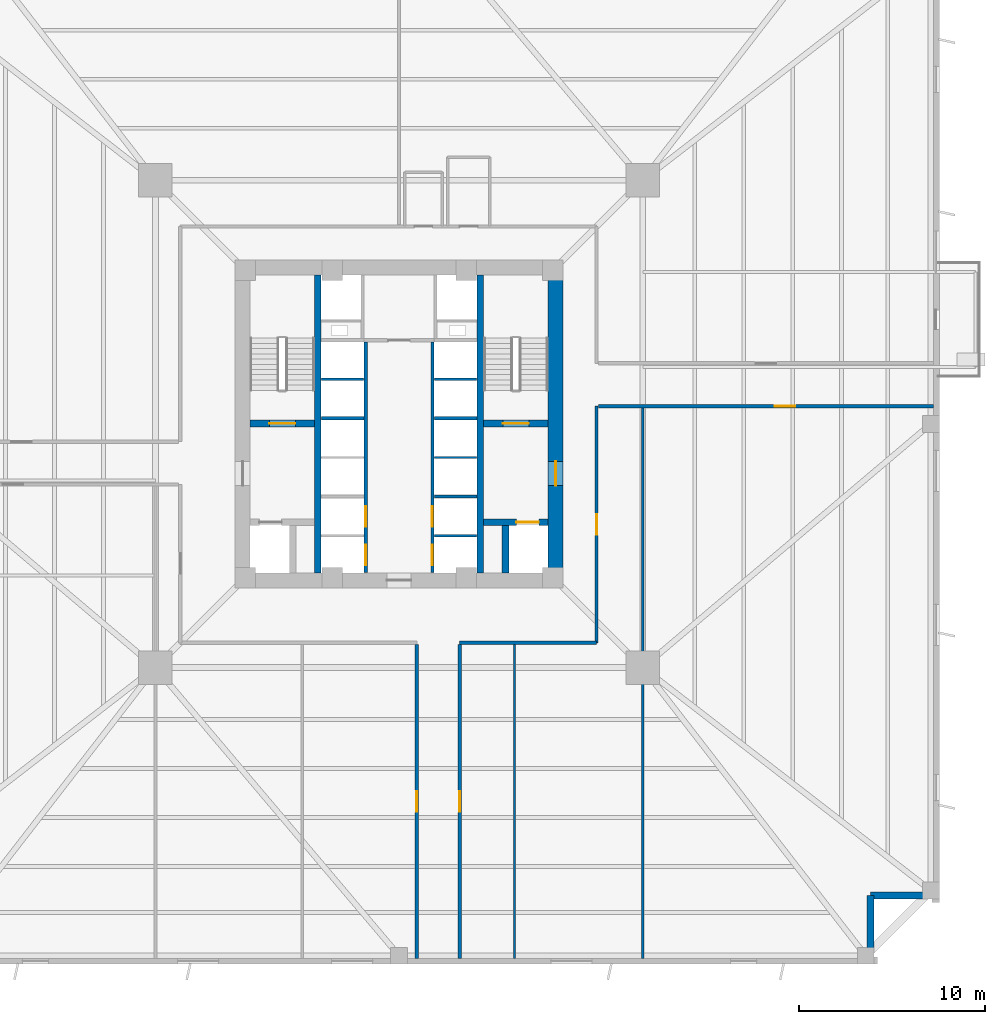
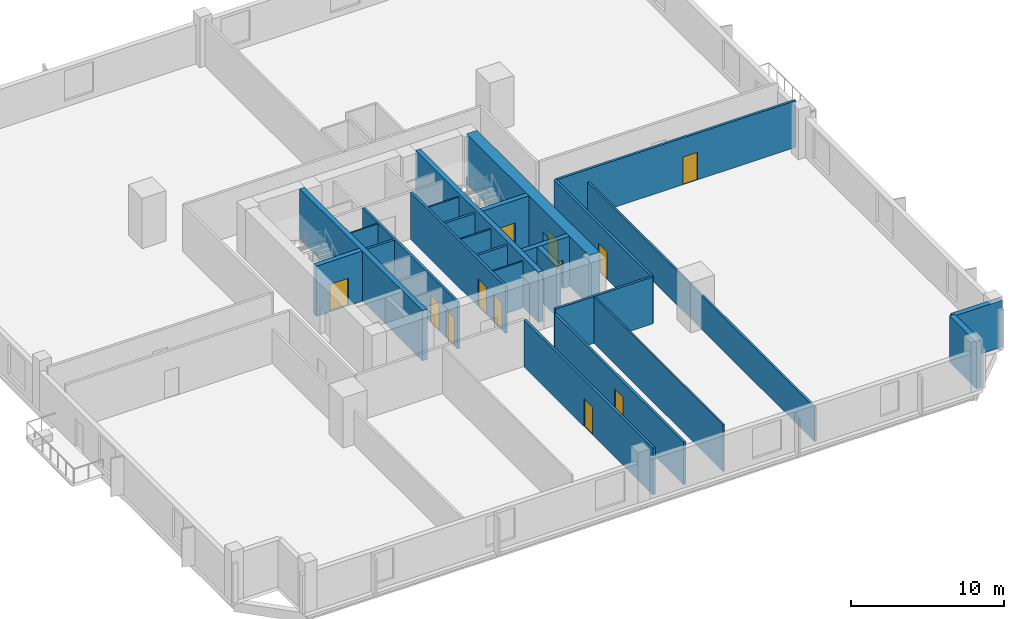
# One storey, part 3 of 9: 25 walls, 12 doors, 12 openings.
"""IFC4 building model written with IfcOpenShell, lengths in metres."""

from ifc_helpers import new_model, si_unit, direction, frame, frame_2d, origin, place, context, subcontext, project, spatial, rectangle, extrude, source, transform, mapped, material, layer, layer_set, type_object, element, fill, save


model = new_model("IFC4")

# Units and contexts
model_context = context("Model", 3, precision=1e-05, world=origin(), true_north=direction((0.0, 1.0)))
body_context = subcontext(model_context, "Body", "Model", "MODEL_VIEW")
ifc_project = project(units=[si_unit("LENGTHUNIT", "METRE"), si_unit("AREAUNIT", "SQUARE_METRE"), si_unit("VOLUMEUNIT", "CUBIC_METRE"), si_unit("PLANEANGLEUNIT", "RADIAN"), si_unit("MASSUNIT", "GRAM", prefix="KILO"), si_unit("THERMODYNAMICTEMPERATUREUNIT", "KELVIN")], contexts=[model_context])

# Site, building, storey
site_placement = place(None, origin())
site = spatial("IfcSite", under=ifc_project, at=site_placement, CompositionType="ELEMENT")
building_placement = place(site_placement, origin())
building = spatial("IfcBuilding", under=site, at=building_placement, Name="Kosmvard Interchange Tower", CompositionType="ELEMENT")
storey_placement = place(building_placement, frame((0.0, 0.0, 58.0)))
storey = spatial("IfcBuildingStorey", under=building, at=storey_placement, Name="L13", CompositionType="ELEMENT", Elevation=58.0)

# Wall
ifc_material_1 = material(Name="Acoustic gypsum partition system")
ifc_layer_1 = layer(ifc_material_1, 0.14990234375, Name="Acoustic gypsum partition system")
ifc_layer_set_1 = layer_set([ifc_layer_1], Name="Acoustic gypsum partition system")
wall_type_1 = type_object("IfcWallType", Name="Acoustic Suite & Meeting Partition 150", PredefinedType="PARTITIONING", material=ifc_layer_set_1)
wall_1_placement = place(storey_placement, frame((13.0810546875, -28.68505859375, 0.0), z_axis=(0.0, 0.0, 1.0), x_axis=(0.0, 1.0, 0.0)))
element("IfcWall", 1, at=wall_1_placement, inside=storey, type_object=wall_type_1, Name="L13 Room Partition 03.1", PredefinedType="PARTITIONING", context=body_context, shape_type="SweptSolid", body=[
    extrude(rectangle(XDim=29.5400390625, YDim=0.14990234375, at=frame_2d((14.77001953125, 0.0))), origin(), (0.0, 0.0, 1.0), 2.7119140625),
])

# Wall, openings, doors
ifc_material_2 = material(Name="Fire-rated gypsum partition system")
ifc_layer_2 = layer(ifc_material_2, 0.179931640625, Name="Fire-rated gypsum partition system")
ifc_layer_set_2 = layer_set([ifc_layer_2], Name="Fire-rated gypsum partition system")
wall_type_2 = type_object("IfcWallType", Name="Corridor & Hotel Compartment Partition 180", PredefinedType="PARTITIONING", material=ifc_layer_set_2)
wall_2_placement = place(storey_placement, frame((-1.7900390625, -7.97998046875, 0.0), z_axis=(0.0, 0.0, 1.0), x_axis=(0.0, 1.0, 0.0)))
wall_2 = element("IfcWall", 2, at=wall_2_placement, inside=storey, type_object=wall_type_2, Name="L13 West Lift Bank Front Wall", PredefinedType="PARTITIONING", context=body_context, shape_type="SweptSolid", body=[
    extrude(rectangle(XDim=12.3798828125, YDim=0.179931640625, at=frame_2d((6.18994140625, 0.0))), origin(), (0.0, 0.0, 1.0), 3.719970703125),
])
opening_1_placement = place(wall_2_placement, frame((0.39990234375, 0.0, 0.0)))
opening_1 = element("IfcOpeningElement", 3, at=opening_1_placement, cuts=wall_2, Name="Opening LD-PL-L1-L13", PredefinedType="OPENING", context=body_context, shape_type="SweptSolid", body=[
    extrude(rectangle(XDim=1.10009765625, YDim=2.199951171875, at=frame_2d((0.550048828125, 1.10009765625))), frame((0.0, 0.10009765625, 0.0), z_axis=(0.0, -1.0, 0.0), x_axis=(1.0, 0.0, 0.0)), (0.0, 0.0, 1.0), 0.199951171875),
])
opening_2_placement = place(wall_2_placement, frame((2.4599609375, 0.0, 0.0)))
opening_2 = element("IfcOpeningElement", 4, at=opening_2_placement, cuts=wall_2, Name="Opening LD-PL-L2-L13", PredefinedType="OPENING", context=body_context, shape_type="SweptSolid", body=[
    extrude(rectangle(XDim=1.10009765625, YDim=2.199951171875, at=frame_2d((0.550048828125, 1.10009765625))), frame((0.0, 0.10009765625, 0.0), z_axis=(0.0, -1.0, 0.0), x_axis=(1.0, 0.0, 0.0)), (0.0, 0.0, 1.0), 0.199951171875),
])
ifc_material_3 = material(Name="Brushed stainless steel sliding leaf", Category="steel")
door_type_1 = type_object("IfcDoorType", Name="Passenger Lift Sliding Landing Door 1100x2200 EI60", OperationType="DOUBLE_DOOR_SLIDING", PredefinedType="DOOR", material=ifc_material_3)
shared_shape_1 = source(origin(), body_context, "Body", "SweptSolid", [
    extrude(rectangle(XDim=1.10009765625, YDim=2.199951171875, at=frame_2d((0.550048828125, 1.10009765625))), frame((0.0, 0.02490234375, 0.0), z_axis=(0.0, -1.0, 0.0), x_axis=(1.0, 0.0, 0.0)), (0.0, 0.0, 1.0), 0.050048828125),
])
door_1_placement = place(opening_1_placement, frame((1.10009765625, 0.0, 0.0), z_axis=(0.0, 0.0, 1.0), x_axis=(-1.0, 0.0, 0.0)))
door_1 = element("IfcDoor", 5, at=door_1_placement, inside=storey, type_object=door_type_1, Name="Lift PL-L1 Landing Door L13", OperationType="DOUBLE_DOOR_SLIDING", OverallHeight=2.199951171875, OverallWidth=1.10009765625, PredefinedType="DOOR", context=body_context, shape_type="MappedRepresentation", body=[
    mapped(shared_shape_1, transform((0.0, 0.0, 0.0), scale=1.0)),
])
fill(opening_1, door_1)
door_2_placement = place(opening_2_placement, frame((1.10009765625, 0.0, 0.0), z_axis=(0.0, 0.0, 1.0), x_axis=(-1.0, 0.0, 0.0)))
door_2 = element("IfcDoor", 6, at=door_2_placement, inside=storey, type_object=door_type_1, Name="Lift PL-L2 Landing Door L13", OperationType="DOUBLE_DOOR_SLIDING", OverallHeight=2.199951171875, OverallWidth=1.10009765625, PredefinedType="DOOR", context=body_context, shape_type="MappedRepresentation", body=[
    mapped(shared_shape_1, transform((0.0, 0.0, 0.0), scale=1.0)),
])
fill(opening_2, door_2)

wall_3_placement = place(storey_placement, frame((1.7900390625, -7.97998046875, 0.0), z_axis=(0.0, 0.0, 1.0), x_axis=(0.0, 1.0, 0.0)))
wall_3 = element("IfcWall", 7, at=wall_3_placement, inside=storey, type_object=wall_type_2, Name="L13 East Lift Bank Front Wall", PredefinedType="PARTITIONING", context=body_context, shape_type="SweptSolid", body=[
    extrude(rectangle(XDim=12.3798828125, YDim=0.179931640625, at=frame_2d((6.18994140625, 0.0))), origin(), (0.0, 0.0, 1.0), 3.719970703125),
])
opening_3_placement = place(wall_3_placement, frame((0.39990234375, 0.0, 0.0)))
opening_3 = element("IfcOpeningElement", 8, at=opening_3_placement, cuts=wall_3, Name="Opening LD-PL-L3-L13", PredefinedType="OPENING", context=body_context, shape_type="SweptSolid", body=[
    extrude(rectangle(XDim=1.10009765625, YDim=2.199951171875, at=frame_2d((0.550048828125, 1.10009765625))), frame((0.0, 0.10009765625, 0.0), z_axis=(0.0, -1.0, 0.0), x_axis=(1.0, 0.0, 0.0)), (0.0, 0.0, 1.0), 0.199951171875),
])
opening_4_placement = place(wall_3_placement, frame((2.4599609375, 0.0, 0.0)))
opening_4 = element("IfcOpeningElement", 9, at=opening_4_placement, cuts=wall_3, Name="Opening LD-PL-L4-L13", PredefinedType="OPENING", context=body_context, shape_type="SweptSolid", body=[
    extrude(rectangle(XDim=1.10009765625, YDim=2.199951171875, at=frame_2d((0.550048828125, 1.10009765625))), frame((0.0, 0.10009765625, 0.0), z_axis=(0.0, -1.0, 0.0), x_axis=(1.0, 0.0, 0.0)), (0.0, 0.0, 1.0), 0.199951171875),
])
door_3_placement = place(opening_3_placement, origin())
door_3 = element("IfcDoor", 10, at=door_3_placement, inside=storey, type_object=door_type_1, Name="Lift PL-L3 Landing Door L13", OperationType="DOUBLE_DOOR_SLIDING", OverallHeight=2.199951171875, OverallWidth=1.10009765625, PredefinedType="DOOR", context=body_context, shape_type="MappedRepresentation", body=[
    mapped(shared_shape_1, transform((0.0, 0.0, 0.0), scale=1.0)),
])
fill(opening_3, door_3)
door_4_placement = place(opening_4_placement, origin())
door_4 = element("IfcDoor", 11, at=door_4_placement, inside=storey, type_object=door_type_1, Name="Lift PL-L4 Landing Door L13", OperationType="DOUBLE_DOOR_SLIDING", OverallHeight=2.199951171875, OverallWidth=1.10009765625, PredefinedType="DOOR", context=body_context, shape_type="MappedRepresentation", body=[
    mapped(shared_shape_1, transform((0.0, 0.0, 0.0), scale=1.0)),
])
fill(opening_4, door_4)

# Wall
wall_4_placement = place(storey_placement, frame((3.25, -11.75, 0.0), z_axis=(0.0, 0.0, 1.0), x_axis=(1.0, 0.0, 0.0)))
element("IfcWall", 12, at=wall_4_placement, inside=storey, type_object=wall_type_2, Name="L13 Corridor Wall CSE", PredefinedType="PARTITIONING", context=body_context, shape_type="SweptSolid", body=[
    extrude(rectangle(XDim=7.35009765625, YDim=0.179931640625, at=frame_2d((3.675048828125, 0.0))), origin(), (0.0, 0.0, 1.0), 3.719970703125),
])

# Wall, opening, door
wall_5_placement = place(storey_placement, frame((10.60009765625, -11.75, 0.0), z_axis=(0.0, 0.0, 1.0), x_axis=(0.0, 1.0, 0.0)))
wall_5 = element("IfcWall", 13, at=wall_5_placement, inside=storey, type_object=wall_type_2, Name="L13 Corridor Wall CES", PredefinedType="PARTITIONING", context=body_context, shape_type="SweptSolid", body=[
    extrude(rectangle(XDim=12.699951171875, YDim=0.179931640625, at=frame_2d((6.35009765625, 0.0))), origin(), (0.0, 0.0, 1.0), 3.719970703125),
])
opening_5_placement = place(wall_5_placement, frame((5.800048828125, 0.0, 0.0)))
opening_5 = element("IfcOpeningElement", 14, at=opening_5_placement, cuts=wall_5, Name="Opening L13-D06", PredefinedType="OPENING", context=body_context, shape_type="SweptSolid", body=[
    extrude(rectangle(XDim=1.10009765625, YDim=2.199951171875, at=frame_2d((0.550048828125, 1.10009765625))), frame((0.0, 0.10009765625, 0.0), z_axis=(0.0, -1.0, 0.0), x_axis=(1.0, 0.0, 0.0)), (0.0, 0.0, 1.0), 0.199951171875),
])
ifc_material_4 = material(Name="Engineered oak fire-rated timber", Category="wood")
door_type_2 = type_object("IfcDoorType", Name="Office Suite Entrance Door 1100x2200 FD30S", OperationType="NOTDEFINED", PredefinedType="DOOR", material=ifc_material_4)
door_5_placement = place(opening_5_placement, frame((1.10009765625, 0.0, 0.0), z_axis=(0.0, 0.0, 1.0), x_axis=(-1.0, 0.0, 0.0)))
door_5 = element("IfcDoor", 15, at=door_5_placement, inside=storey, type_object=door_type_2, Name="L13 Strategy Seminar Room 1 Door", OperationType="SINGLE_SWING_RIGHT", OverallHeight=2.199951171875, OverallWidth=1.10009765625, PredefinedType="DOOR", context=body_context, shape_type="MappedRepresentation", body=[
    mapped(shared_shape_1, transform((0.0, 0.0, 0.0), scale=1.0)),
])
fill(opening_5, door_5)

wall_6_placement = place(storey_placement, frame((10.699951171875, 0.949951171875, 0.0), z_axis=(0.0, 0.0, 1.0), x_axis=(1.0, 0.0, 0.0)))
wall_6 = element("IfcWall", 16, at=wall_6_placement, inside=storey, type_object=wall_type_2, Name="L13 Corridor Wall SES", PredefinedType="PARTITIONING", context=body_context, shape_type="SweptSolid", body=[
    extrude(rectangle(XDim=17.985107421875, YDim=0.179931640625, at=frame_2d((8.99267578125, 0.0))), origin(), (0.0, 0.0, 1.0), 3.719970703125),
])
opening_6_placement = place(wall_6_placement, frame((9.468505859375, 0.0, 0.0)))
opening_6 = element("IfcOpeningElement", 17, at=opening_6_placement, cuts=wall_6, Name="Opening L13-D07", PredefinedType="OPENING", context=body_context, shape_type="SweptSolid", body=[
    extrude(rectangle(XDim=1.10009765625, YDim=2.199951171875, at=frame_2d((0.550048828125, 1.10009765625))), frame((0.0, 0.10009765625, 0.0), z_axis=(0.0, -1.0, 0.0), x_axis=(1.0, 0.0, 0.0)), (0.0, 0.0, 1.0), 0.199951171875),
])
door_6_placement = place(opening_6_placement, frame((1.10009765625, 0.0, 0.0), z_axis=(0.0, 0.0, 1.0), x_axis=(-1.0, 0.0, 0.0)))
door_6 = element("IfcDoor", 18, at=door_6_placement, inside=storey, type_object=door_type_2, Name="L13 East Open Engineering Studio Door", OperationType="SINGLE_SWING_LEFT", OverallHeight=2.199951171875, OverallWidth=1.10009765625, PredefinedType="DOOR", context=body_context, shape_type="MappedRepresentation", body=[
    mapped(shared_shape_1, transform((0.0, 0.0, 0.0), scale=1.0)),
])
fill(opening_6, door_6)

wall_7_placement = place(storey_placement, frame((0.949951171875, -28.68505859375, 0.0), z_axis=(0.0, 0.0, 1.0), x_axis=(0.0, 1.0, 0.0)))
wall_7 = element("IfcWall", 19, at=wall_7_placement, inside=storey, type_object=wall_type_2, Name="L13 Corridor Wall SSW", PredefinedType="PARTITIONING", context=body_context, shape_type="SweptSolid", body=[
    extrude(rectangle(XDim=16.8349609375, YDim=0.179931640625, at=frame_2d((8.41748046875, 0.0))), origin(), (0.0, 0.0, 1.0), 3.719970703125),
])
opening_7_placement = place(wall_7_placement, frame((7.867431640625, 0.0, 0.0)))
opening_7 = element("IfcOpeningElement", 20, at=opening_7_placement, cuts=wall_7, Name="Opening L13-D10", PredefinedType="OPENING", context=body_context, shape_type="SweptSolid", body=[
    extrude(rectangle(XDim=1.10009765625, YDim=2.199951171875, at=frame_2d((0.550048828125, 1.10009765625))), frame((0.0, 0.10009765625, 0.0), z_axis=(0.0, -1.0, 0.0), x_axis=(1.0, 0.0, 0.0)), (0.0, 0.0, 1.0), 0.199951171875),
])
door_7_placement = place(opening_7_placement, origin())
door_7 = element("IfcDoor", 21, at=door_7_placement, inside=storey, type_object=door_type_2, Name="L13 Tenant Archive Store Door", OperationType="SINGLE_SWING_RIGHT", OverallHeight=2.199951171875, OverallWidth=1.10009765625, PredefinedType="DOOR", context=body_context, shape_type="MappedRepresentation", body=[
    mapped(shared_shape_1, transform((0.0, 0.0, 0.0), scale=1.0)),
])
fill(opening_7, door_7)

wall_8_placement = place(storey_placement, frame((3.25, -28.68505859375, 0.0), z_axis=(0.0, 0.0, 1.0), x_axis=(0.0, 1.0, 0.0)))
wall_8 = element("IfcWall", 22, at=wall_8_placement, inside=storey, type_object=wall_type_2, Name="L13 Corridor Wall SSE", PredefinedType="PARTITIONING", context=body_context, shape_type="SweptSolid", body=[
    extrude(rectangle(XDim=16.8349609375, YDim=0.179931640625, at=frame_2d((8.41748046875, 0.0))), origin(), (0.0, 0.0, 1.0), 3.389892578125),
])
opening_8_placement = place(wall_8_placement, frame((7.867431640625, 0.0, 0.0)))
opening_8 = element("IfcOpeningElement", 23, at=opening_8_placement, cuts=wall_8, Name="Opening L13-D05", PredefinedType="OPENING", context=body_context, shape_type="SweptSolid", body=[
    extrude(rectangle(XDim=1.10009765625, YDim=2.199951171875, at=frame_2d((0.550048828125, 1.10009765625))), frame((0.0, 0.10009765625, 0.0), z_axis=(0.0, -1.0, 0.0), x_axis=(1.0, 0.0, 0.0)), (0.0, 0.0, 1.0), 0.199951171875),
])
door_8_placement = place(opening_8_placement, frame((1.10009765625, 0.0, 0.0), z_axis=(0.0, 0.0, 1.0), x_axis=(-1.0, 0.0, 0.0)))
door_8 = element("IfcDoor", 24, at=door_8_placement, inside=storey, type_object=door_type_2, Name="L13 Client Reception Foyer Door", OperationType="SINGLE_SWING_LEFT", OverallHeight=2.199951171875, OverallWidth=1.10009765625, PredefinedType="DOOR", context=body_context, shape_type="MappedRepresentation", body=[
    mapped(shared_shape_1, transform((0.0, 0.0, 0.0), scale=1.0)),
])
fill(opening_8, door_8)

ifc_material_5 = material(Name="Concrete C80/95", Category="concrete")
ifc_layer_3 = layer(ifc_material_5, 0.800048828125, Name="Concrete C80/95")
ifc_layer_set_3 = layer_set([ifc_layer_3], Name="Concrete C80/95")
wall_type_3 = type_object("IfcWallType", Name="Lower Core Shear Wall 800 C80/95", PredefinedType="SHEAR", material=ifc_layer_set_3)
wall_9_placement = place(storey_placement, frame((8.39990234375, -8.0, 0.0), z_axis=(0.0, 0.0, 1.0), x_axis=(0.0, 1.0, 0.0)))
wall_9 = element("IfcWall", 25, at=wall_9_placement, inside=storey, type_object=wall_type_3, Name="L13 Core Shear Wall CW-E", PredefinedType="SHEAR", context=body_context, shape_type="SweptSolid", body=[
    extrude(rectangle(XDim=16.0, YDim=0.800048828125, at=frame_2d((8.0, 0.0))), origin(), (0.0, 0.0, 1.0), 4.0),
])
opening_9_placement = place(wall_9_placement, frame((4.68994140625, 0.0, 0.0)))
opening_9 = element("IfcOpeningElement", 26, at=opening_9_placement, cuts=wall_9, Name="Opening L13-FD2", PredefinedType="OPENING", context=body_context, shape_type="SweptSolid", body=[
    extrude(rectangle(XDim=1.300048828125, YDim=2.199951171875, at=frame_2d((0.64990234375, 1.10009765625))), frame((0.0, 0.41015625, 0.0), z_axis=(0.0, -1.0, 0.0), x_axis=(1.0, 0.0, 0.0)), (0.0, 0.0, 1.0), 0.820068359375),
])
ifc_material_6 = material(Name="Painted fire-rated steel leaf", Category="steel")
door_type_3 = type_object("IfcDoorType", Name="Firefighting Lobby Door 1300x2200 EI60", OperationType="NOTDEFINED", PredefinedType="DOOR", material=ifc_material_6)
shared_shape_2 = source(origin(), body_context, "Body", "SweptSolid", [
    extrude(rectangle(XDim=1.300048828125, YDim=2.199951171875, at=frame_2d((0.64990234375, 1.10009765625))), frame((0.0, 0.02490234375, 0.0), z_axis=(0.0, -1.0, 0.0), x_axis=(1.0, 0.0, 0.0)), (0.0, 0.0, 1.0), 0.050048828125),
])
door_9_placement = place(opening_9_placement, origin())
door_9 = element("IfcDoor", 27, at=door_9_placement, inside=storey, type_object=door_type_3, Name="L13 Firefighting Lobby East Door", OperationType="SINGLE_SWING_RIGHT", OverallHeight=2.199951171875, OverallWidth=1.300048828125, PredefinedType="DOOR", context=body_context, shape_type="MappedRepresentation", body=[
    mapped(shared_shape_2, transform((0.0, 0.0, 0.0), scale=1.0)),
])
fill(opening_9, door_9)

# Walls
ifc_material_7 = material(Name="Precast concrete C45/55", Category="concrete")
ifc_layer_4 = layer(ifc_material_7, 0.3798828125, Name="Precast concrete C45/55")
ifc_layer_set_4 = layer_set([ifc_layer_4], Name="Precast concrete C45/55")
wall_type_4 = type_object("IfcWallType", Name="Lower Tower Precast Pier Wall 380 C45/55", PredefinedType="STANDARD", material=ifc_layer_set_4)
wall_10_placement = place(storey_placement, frame((25.31005859375, -28.81005859375, 0.0), z_axis=(0.0, 0.0, 1.0), x_axis=(0.0, 1.0, 0.0)))
element("IfcWall", 28, at=wall_10_placement, inside=storey, type_object=wall_type_4, Name="L13 Precast Facade Wall N-SE1", PredefinedType="STANDARD", context=body_context, shape_type="SweptSolid", body=[
    extrude(rectangle(XDim=3.5, YDim=0.3798828125, at=frame_2d((1.75, 0.0))), origin(), (0.0, 0.0, 1.0), 3.719970703125),
])
wall_11_placement = place(storey_placement, frame((25.31005859375, -25.31005859375, 0.0), z_axis=(0.0, 0.0, 1.0), x_axis=(1.0, 0.0, 0.0)))
element("IfcWall", 29, at=wall_11_placement, inside=storey, type_object=wall_type_4, Name="L13 Precast Facade Wall N-SE2", PredefinedType="STANDARD", context=body_context, shape_type="SweptSolid", body=[
    extrude(rectangle(XDim=3.68994140625, YDim=0.3798828125, at=frame_2d((1.844970703125, 0.0))), origin(), (0.0, 0.0, 1.0), 3.719970703125),
])
ifc_material_8 = material(Name="Gypsum board partition system")
ifc_layer_5 = layer(ifc_material_8, 0.1201171875, Name="Gypsum board partition system")
ifc_layer_set_5 = layer_set([ifc_layer_5], Name="Gypsum board partition system")
wall_type_5 = type_object("IfcWallType", Name="Office Cellular Partition 120", PredefinedType="PARTITIONING", material=ifc_layer_set_5)
wall_12_placement = place(storey_placement, frame((6.199951171875, -28.68505859375, 0.0), z_axis=(0.0, 0.0, 1.0), x_axis=(0.0, 1.0, 0.0)))
element("IfcWall", 30, at=wall_12_placement, inside=storey, type_object=wall_type_5, Name="L13 Room Partition 02.1", PredefinedType="PARTITIONING", context=body_context, shape_type="SweptSolid", body=[
    extrude(rectangle(XDim=16.840087890625, YDim=0.1201171875, at=frame_2d((8.419921875, 0.0))), origin(), (0.0, 0.0, 1.0), 3.719970703125),
])
ifc_material_9 = material(Name="Concrete blockwork masonry", Category="masonry")
ifc_layer_6 = layer(ifc_material_9, 0.179931640625, Name="Concrete blockwork masonry")
ifc_layer_set_6 = layer_set([ifc_layer_6], Name="Concrete blockwork masonry")
wall_type_6 = type_object("IfcWallType", Name="Riser & Lift Bank Divider Wall 180", PredefinedType="PARTITIONING", material=ifc_layer_set_6)
for number, where, z_axis, x_axis, name in (
    (31, (1.889892578125, -3.89990234375, 0.0), (0.0, 0.0, 1.0), (1.0, 0.0, 0.0), "L13 East Bank Divider BD1"),
    (32, (-4.169921875, 0.300048828125, 0.0), (0.0, 0.0, 1.0), (1.0, 0.0, 0.0), "L13 West Bank Divider BD2"),
    (33, (1.889892578125, 0.300048828125, 0.0), (0.0, 0.0, 1.0), (1.0, 0.0, 0.0), "L13 East Bank Divider BD2"),
):
    element("IfcWall", number, at=place(storey_placement, frame(where, z_axis=z_axis, x_axis=x_axis)), inside=storey, type_object=wall_type_6, Name=name, PredefinedType="PARTITIONING", context=body_context, shape_type="SweptSolid", body=[
        extrude(rectangle(XDim=2.280029296875, YDim=0.179931640625, at=frame_2d((1.14013671875, 0.0))), origin(), (0.0, 0.0, 1.0), 3.719970703125),
    ])
ifc_material_10 = material(Name="Fire-rated gypsum shaftwall system")
ifc_layer_7 = layer(ifc_material_10, 0.1201171875, Name="Fire-rated gypsum shaftwall system")
ifc_layer_set_7 = layer_set([ifc_layer_7], Name="Fire-rated gypsum shaftwall system")
wall_type_7 = type_object("IfcWallType", Name="Shaft & Riser Fire Partition 120 EI60", PredefinedType="PARTITIONING", material=ifc_layer_set_7)
for number, where, z_axis, x_axis, name in (
    (34, (1.89990234375, -6.0, 0.0), (0.0, 0.0, 1.0), (1.0, 0.0, 0.0), "L13 Shaft Divider PL-L3"),
    (35, (1.89990234375, -1.800048828125, 0.0), (0.0, 0.0, 1.0), (1.0, 0.0, 0.0), "L13 Shaft Divider PL-M3"),
    (36, (-4.159912109375, 2.39990234375, 0.0), (0.0, 0.0, 1.0), (1.0, 0.0, 0.0), "L13 Shaft Divider PL-H1"),
    (37, (1.89990234375, 2.39990234375, 0.0), (0.0, 0.0, 1.0), (1.0, 0.0, 0.0), "L13 Shaft Divider PL-H3"),
):
    element("IfcWall", number, at=place(storey_placement, frame(where, z_axis=z_axis, x_axis=x_axis)), inside=storey, type_object=wall_type_7, Name=name, PredefinedType="PARTITIONING", context=body_context, shape_type="SweptSolid", body=[
        extrude(rectangle(XDim=2.260009765625, YDim=0.1201171875, at=frame_2d((1.1298828125, 0.0))), origin(), (0.0, 0.0, 1.0), 3.719970703125),
    ])
ifc_material_11 = material(Name="Concrete C60/75", Category="concrete")
ifc_layer_8 = layer(ifc_material_11, 0.360107421875, Name="Concrete C60/75")
ifc_layer_set_8 = layer_set([ifc_layer_8], Name="Concrete C60/75")
wall_type_8 = type_object("IfcWallType", Name="Stair & Lift Shaft Shear Wall 360 C60/75", PredefinedType="SHEAR", material=ifc_layer_set_8)
for number, where, z_axis, x_axis, name in (
    (38, (-4.360107421875, -8.0, 0.0), (0.0, 0.0, 1.0), (0.0, 1.0, 0.0), "L13 Shaft Shear Wall SW-W"),
    (39, (4.360107421875, -8.0, 0.0), (0.0, 0.0, 1.0), (0.0, 1.0, 0.0), "L13 Shaft Shear Wall SW-E"),
):
    element("IfcWall", number, at=place(storey_placement, frame(where, z_axis=z_axis, x_axis=x_axis)), inside=storey, type_object=wall_type_8, Name=name, PredefinedType="SHEAR", context=body_context, shape_type="SweptSolid", body=[
        extrude(rectangle(XDim=16.0, YDim=0.360107421875, at=frame_2d((8.0, 0.0))), origin(), (0.0, 0.0, 1.0), 4.0),
    ])

# Wall, opening, door
wall_13_placement = place(storey_placement, frame((-8.0, 0.02001953125, 0.0), z_axis=(0.0, 0.0, 1.0), x_axis=(1.0, 0.0, 0.0)))
wall_13 = element("IfcWall", 40, at=wall_13_placement, inside=storey, type_object=wall_type_8, Name="L13 Shaft Shear Wall SW-ST1", PredefinedType="SHEAR", context=body_context, shape_type="SweptSolid", body=[
    extrude(rectangle(XDim=3.4599609375, YDim=0.360107421875, at=frame_2d((1.72998046875, 0.0))), origin(), (0.0, 0.0, 1.0), 4.0),
])
opening_10_placement = place(wall_13_placement, frame((1.030029296875, 0.0, 0.0)))
opening_10 = element("IfcOpeningElement", 41, at=opening_10_placement, cuts=wall_13, Name="Opening L13-SD1", PredefinedType="OPENING", context=body_context, shape_type="SweptSolid", body=[
    extrude(rectangle(XDim=1.39990234375, YDim=2.199951171875, at=frame_2d((0.699951171875, 1.10009765625))), frame((0.0, 0.18994140625, 0.0), z_axis=(0.0, -1.0, 0.0), x_axis=(1.0, 0.0, 0.0)), (0.0, 0.0, 1.0), 0.380126953125),
])
door_type_4 = type_object("IfcDoorType", Name="Protected Stair Door 1400x2200 FD60S", OperationType="NOTDEFINED", PredefinedType="DOOR", material=ifc_material_6)
shared_shape_3 = source(origin(), body_context, "Body", "SweptSolid", [
    extrude(rectangle(XDim=1.39990234375, YDim=2.199951171875, at=frame_2d((0.699951171875, 1.10009765625))), frame((0.0, 0.02490234375, 0.0), z_axis=(0.0, -1.0, 0.0), x_axis=(1.0, 0.0, 0.0)), (0.0, 0.0, 1.0), 0.050048828125),
])
door_10_placement = place(opening_10_placement, origin())
door_10 = element("IfcDoor", 42, at=door_10_placement, inside=storey, type_object=door_type_4, Name="L13 Stair ST-1 Enclosure Door", OperationType="SINGLE_SWING_LEFT", OverallHeight=2.199951171875, OverallWidth=1.39990234375, PredefinedType="DOOR", context=body_context, shape_type="MappedRepresentation", body=[
    mapped(shared_shape_3, transform((0.0, 0.0, 0.0), scale=1.0)),
])
fill(opening_10, door_10)

wall_14_placement = place(storey_placement, frame((4.5400390625, 0.02001953125, 0.0), z_axis=(0.0, 0.0, 1.0), x_axis=(1.0, 0.0, 0.0)))
wall_14 = element("IfcWall", 43, at=wall_14_placement, inside=storey, type_object=wall_type_8, Name="L13 Shaft Shear Wall SW-ST2", PredefinedType="SHEAR", context=body_context, shape_type="SweptSolid", body=[
    extrude(rectangle(XDim=3.4599609375, YDim=0.360107421875, at=frame_2d((1.72998046875, 0.0))), origin(), (0.0, 0.0, 1.0), 4.0),
])
opening_11_placement = place(wall_14_placement, frame((1.030029296875, 0.0, 0.0)))
opening_11 = element("IfcOpeningElement", 44, at=opening_11_placement, cuts=wall_14, Name="Opening L13-SD2", PredefinedType="OPENING", context=body_context, shape_type="SweptSolid", body=[
    extrude(rectangle(XDim=1.39990234375, YDim=2.199951171875, at=frame_2d((0.699951171875, 1.10009765625))), frame((0.0, 0.18994140625, 0.0), z_axis=(0.0, -1.0, 0.0), x_axis=(1.0, 0.0, 0.0)), (0.0, 0.0, 1.0), 0.380126953125),
])
door_11_placement = place(opening_11_placement, origin())
door_11 = element("IfcDoor", 45, at=door_11_placement, inside=storey, type_object=door_type_4, Name="L13 Stair ST-2 Enclosure Door", OperationType="SINGLE_SWING_RIGHT", OverallHeight=2.199951171875, OverallWidth=1.39990234375, PredefinedType="DOOR", context=body_context, shape_type="MappedRepresentation", body=[
    mapped(shared_shape_3, transform((0.0, 0.0, 0.0), scale=1.0)),
])
fill(opening_11, door_11)

wall_15_placement = place(storey_placement, frame((4.5400390625, -5.280029296875, 0.0), z_axis=(0.0, 0.0, 1.0), x_axis=(1.0, 0.0, 0.0)))
wall_15 = element("IfcWall", 46, at=wall_15_placement, inside=storey, type_object=wall_type_8, Name="L13 Shaft Shear Wall SW-FF2", PredefinedType="SHEAR", context=body_context, shape_type="SweptSolid", body=[
    extrude(rectangle(XDim=3.4599609375, YDim=0.360107421875, at=frame_2d((1.72998046875, 0.0))), origin(), (0.0, 0.0, 1.0), 4.0),
])
opening_12_placement = place(wall_15_placement, frame((1.760009765625, 0.0, 0.0)))
opening_12 = element("IfcOpeningElement", 47, at=opening_12_placement, cuts=wall_15, Name="Opening LD-FF-2-L13", PredefinedType="OPENING", context=body_context, shape_type="SweptSolid", body=[
    extrude(rectangle(XDim=1.199951171875, YDim=2.25, at=frame_2d((0.60009765625, 1.125))), frame((0.0, 0.18994140625, 0.0), z_axis=(0.0, -1.0, 0.0), x_axis=(1.0, 0.0, 0.0)), (0.0, 0.0, 1.0), 0.380126953125),
])
door_type_5 = type_object("IfcDoorType", Name="Firefighting Lift Sliding Landing Door 1200x2250 EI120", OperationType="DOUBLE_DOOR_SLIDING", PredefinedType="DOOR", material=ifc_material_3)
shared_shape_4 = source(origin(), body_context, "Body", "SweptSolid", [
    extrude(rectangle(XDim=1.199951171875, YDim=2.25, at=frame_2d((0.60009765625, 1.125))), frame((0.0, 0.02490234375, 0.0), z_axis=(0.0, -1.0, 0.0), x_axis=(1.0, 0.0, 0.0)), (0.0, 0.0, 1.0), 0.050048828125),
])
door_12_placement = place(opening_12_placement, origin())
door_12 = element("IfcDoor", 48, at=door_12_placement, inside=storey, type_object=door_type_5, Name="Lift FF-2 Landing Door L13", OperationType="DOUBLE_DOOR_SLIDING", OverallHeight=2.25, OverallWidth=1.199951171875, PredefinedType="DOOR", context=body_context, shape_type="MappedRepresentation", body=[
    mapped(shared_shape_4, transform((0.0, 0.0, 0.0), scale=1.0)),
])
fill(opening_12, door_12)

# Wall
wall_16_placement = place(storey_placement, frame((5.7099609375, -8.0, 0.0), z_axis=(0.0, 0.0, 1.0), x_axis=(0.0, 1.0, 0.0)))
element("IfcWall", 49, at=wall_16_placement, inside=storey, type_object=wall_type_8, Name="L13 Shaft Shear Wall SW-SM2", PredefinedType="SHEAR", context=body_context, shape_type="SweptSolid", body=[
    extrude(rectangle(XDim=2.5400390625, YDim=0.360107421875, at=frame_2d((1.27001953125, 0.0))), origin(), (0.0, 0.0, 1.0), 4.0),
])

save(model, "model.ifc")
